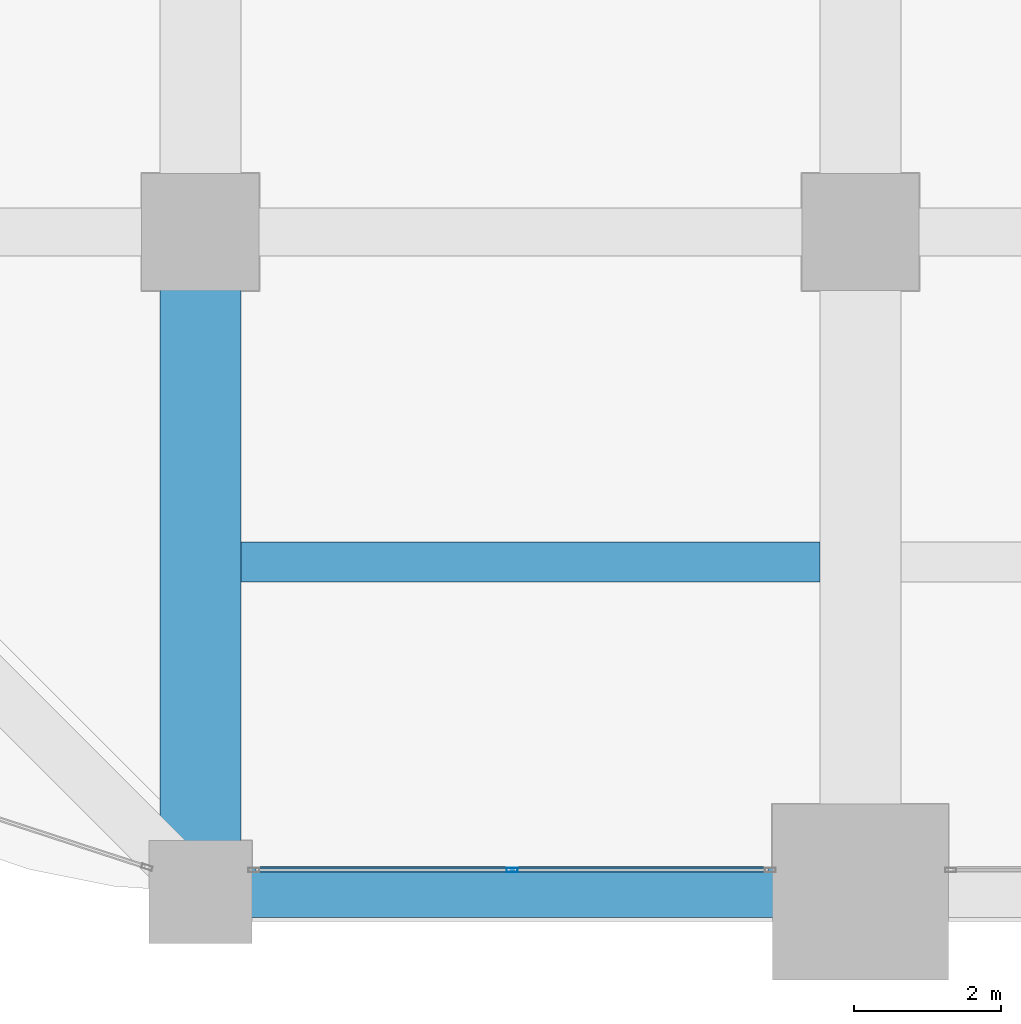
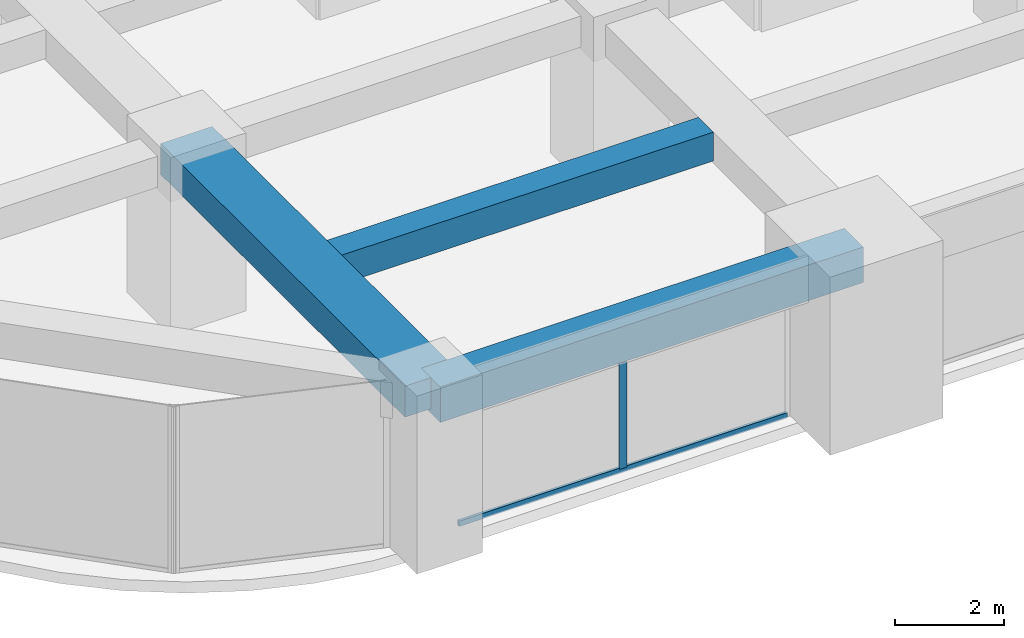
# One storey, part 3 of 33: 3 beams, 2 members, 1 element without a shape of its own.
"""IFC4 building model written with IfcOpenShell, lengths in metres."""

from ifc_helpers import new_model, si_unit, direction, frame, origin, origin_2d, place, context, subcontext, project, spatial, rectangle, hollow_rectangle, extrude, material, material_profile, profile_set, type_object, element, aggregate, save


model = new_model("IFC4")

# Units and contexts
model_context = context("Model", 3, precision=1e-05, world=origin(), true_north=direction((0.0, 1.0)))
body_context = subcontext(model_context, "Body", "Model", "MODEL_VIEW")
ifc_project = project(units=[si_unit("LENGTHUNIT", "METRE"), si_unit("AREAUNIT", "SQUARE_METRE"), si_unit("VOLUMEUNIT", "CUBIC_METRE"), si_unit("PLANEANGLEUNIT", "RADIAN"), si_unit("MASSUNIT", "GRAM", prefix="KILO")], contexts=[model_context])

# Site, building, storey
site_placement = place(None, origin())
site = spatial("IfcSite", under=ifc_project, at=site_placement, CompositionType="ELEMENT")
building_placement = place(site_placement, origin())
building = spatial("IfcBuilding", under=site, at=building_placement, Name="Zorevar Civic Tower", CompositionType="ELEMENT")
storey_placement = place(building_placement, frame((0.0, 0.0, 194.199951171875)))
storey = spatial("IfcBuildingStorey", under=building, at=storey_placement, Name="L47", CompositionType="ELEMENT", Elevation=194.199951171875)

# Beams
ifc_material_1 = material(Name="Concrete C50/60", Category="concrete")
ifc_material_profile_1 = material_profile(ifc_material_1, rectangle(XDim=1.10009765625, YDim=0.699951171875, at=origin_2d()), Name="RC 1100x700")
ifc_profile_set_1 = profile_set([ifc_material_profile_1], Name="Concrete C50/60")
beam_type_1 = type_object("IfcBeamType", Name="Beam RC 1100x700", PredefinedType="BEAM", material=ifc_profile_set_1)
beam_1_placement = place(storey_placement, frame((9.0, 0.0, 3.400146484375), z_axis=(0.0, 1.0, 0.0), x_axis=(-1.0, 0.0, 0.0)))
element("IfcBeam", 1, at=beam_1_placement, inside=storey, type_object=beam_type_1, Name="Girder L48", PredefinedType="BEAM", context=body_context, shape_type="SweptSolid", body=[
    extrude(rectangle(XDim=1.10009765625, YDim=0.699951171875, at=origin_2d()), origin(), (0.0, 0.0, 1.0), 9.0),
])
ifc_material_2 = material(Name="Concrete C50/60", Category="concrete")
ifc_material_profile_2 = material_profile(ifc_material_2, rectangle(XDim=0.550048828125, YDim=0.64990234375, at=origin_2d()), Name="RC 550x650")
ifc_profile_set_2 = profile_set([ifc_material_profile_2], Name="Concrete C50/60")
beam_type_2 = type_object("IfcBeamType", Name="Beam RC 550x650", PredefinedType="BEAM", material=ifc_profile_set_2)
beam_2_placement = place(storey_placement, frame((9.550048828125, 4.5, 3.425048828125), z_axis=(1.0, 0.0, 0.0), x_axis=(0.0, 1.0, 0.0)))
element("IfcBeam", 2, at=beam_2_placement, inside=storey, type_object=beam_type_2, Name="Secondary beam L48", PredefinedType="BEAM", context=body_context, shape_type="SweptSolid", body=[
    extrude(rectangle(XDim=0.550048828125, YDim=0.64990234375, at=origin_2d()), origin(), (0.0, 0.0, 1.0), 7.89990234375),
])

# Curtain wall, members
ifc_material_3 = material(Name="Dark grey solar-control glass in black aluminium frame", Category="aluminium")
curtain_wall_type = type_object("IfcCurtainWallType", Name="Curtain wall CW4 high zone", PredefinedType="NOTDEFINED", material=ifc_material_3)
curtain_wall_placement = place(storey_placement, origin())
curtain_wall = element("IfcCurtainWall", 3, at=curtain_wall_placement, inside=storey, type_object=curtain_wall_type, Name="CW4 L47", PredefinedType="NOTDEFINED")
ifc_material_4 = material(Name="Aluminium, black anodised", Category="aluminium")
ifc_material_profile_3 = material_profile(ifc_material_4, hollow_rectangle(XDim=0.06005859375, YDim=0.14990234375, WallThickness=0.00390625, at=origin_2d()), Name="AL 150x60x4")
ifc_profile_set_3 = profile_set([ifc_material_profile_3], Name="Aluminium, black anodised")
member_type_1 = type_object("IfcMemberType", Name="CW4 mullion AL 150x60x4", PredefinedType="MULLION", material=ifc_profile_set_3)
member_1_placement = place(storey_placement, frame((13.25, 0.300048828125, 0.06005859375), z_axis=(0.0, 0.0, 1.0), x_axis=(0.0, 1.0, 0.0)))
member_1 = element("IfcMember", 4, at=member_1_placement, type_object=member_type_1, Name="CW4 mullion 2", PredefinedType="MULLION", context=body_context, shape_type="SweptSolid", body=[
    extrude(hollow_rectangle(XDim=0.06005859375, YDim=0.14990234375, WallThickness=0.00390625, at=origin_2d()), origin(), (0.0, 0.0, 1.0), 2.889892578125),
])
ifc_material_5 = material(Name="Aluminium, black anodised", Category="aluminium")
ifc_material_profile_4 = material_profile(ifc_material_5, hollow_rectangle(XDim=0.06005859375, YDim=0.1201171875, WallThickness=0.0029296875, at=origin_2d()), Name="AL 120x60x3")
ifc_profile_set_4 = profile_set([ifc_material_profile_4], Name="Aluminium, black anodised")
member_type_2 = type_object("IfcMemberType", Name="CW4 transom AL 120x60x3", PredefinedType="USERDEFINED", material=ifc_profile_set_4)
member_2_placement = place(storey_placement, frame((9.760009765625, 0.300048828125, 0.030029296875), z_axis=(1.0, 0.0, 0.0), x_axis=(0.0, 1.0, 0.0)))
member_2 = element("IfcMember", 5, at=member_2_placement, type_object=member_type_2, Name="CW4 sill transom", ObjectType="TRANSOM", PredefinedType="USERDEFINED", context=body_context, shape_type="SweptSolid", body=[
    extrude(hollow_rectangle(XDim=0.06005859375, YDim=0.1201171875, WallThickness=0.0029296875, at=origin_2d()), origin(), (0.0, 0.0, 1.0), 6.97998046875),
])
aggregate(curtain_wall, [member_1, member_2])

# Beam
ifc_material_6 = material(Name="Concrete C50/60", Category="concrete")
ifc_material_profile_5 = material_profile(ifc_material_6, rectangle(XDim=0.699951171875, YDim=0.800048828125, at=origin_2d()), Name="RC 700x800")
ifc_profile_set_5 = profile_set([ifc_material_profile_5], Name="Concrete C50/60")
beam_type_3 = type_object("IfcBeamType", Name="Edge beam RC 700x800", PredefinedType="SPANDREL", material=ifc_profile_set_5)
beam_3_placement = place(storey_placement, frame((9.0, 0.0, 3.35009765625), z_axis=(1.0, 0.0, 0.0), x_axis=(0.0, 1.0, 0.0)))
element("IfcBeam", 6, at=beam_3_placement, inside=storey, type_object=beam_type_3, Name="Edge beam L48", PredefinedType="SPANDREL", context=body_context, shape_type="SweptSolid", body=[
    extrude(rectangle(XDim=0.699951171875, YDim=0.800048828125, at=origin_2d()), origin(), (0.0, 0.0, 1.0), 9.0),
])

save(model, "model.ifc")
